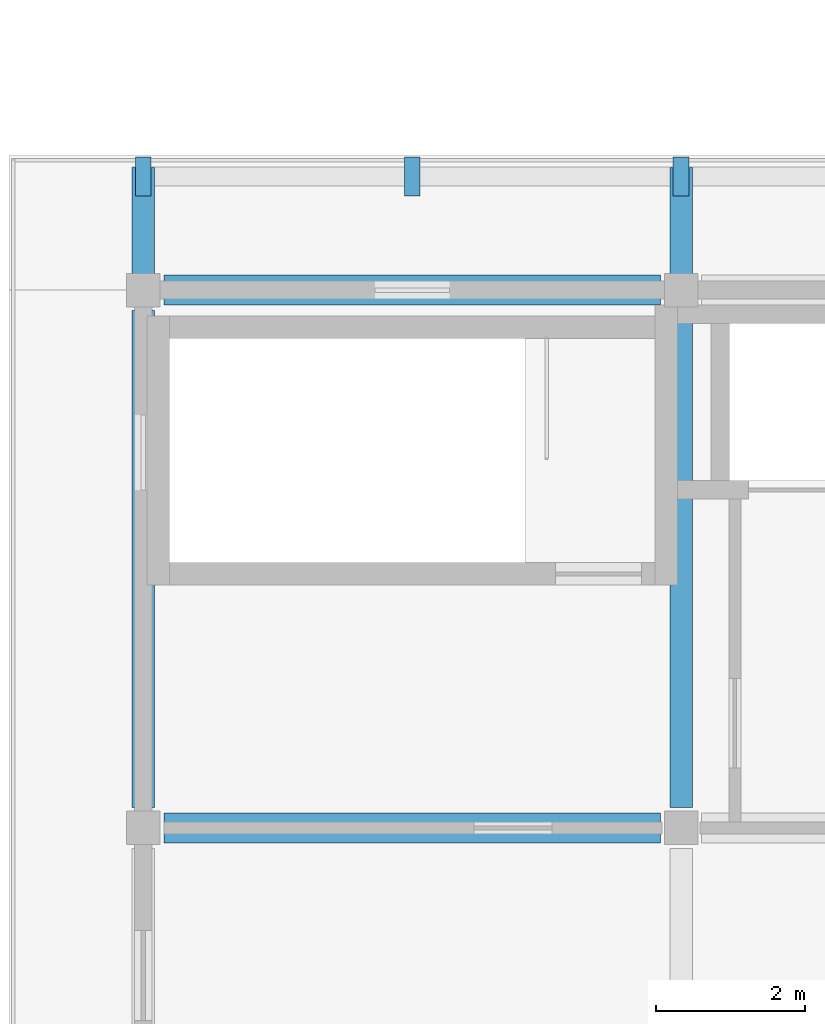
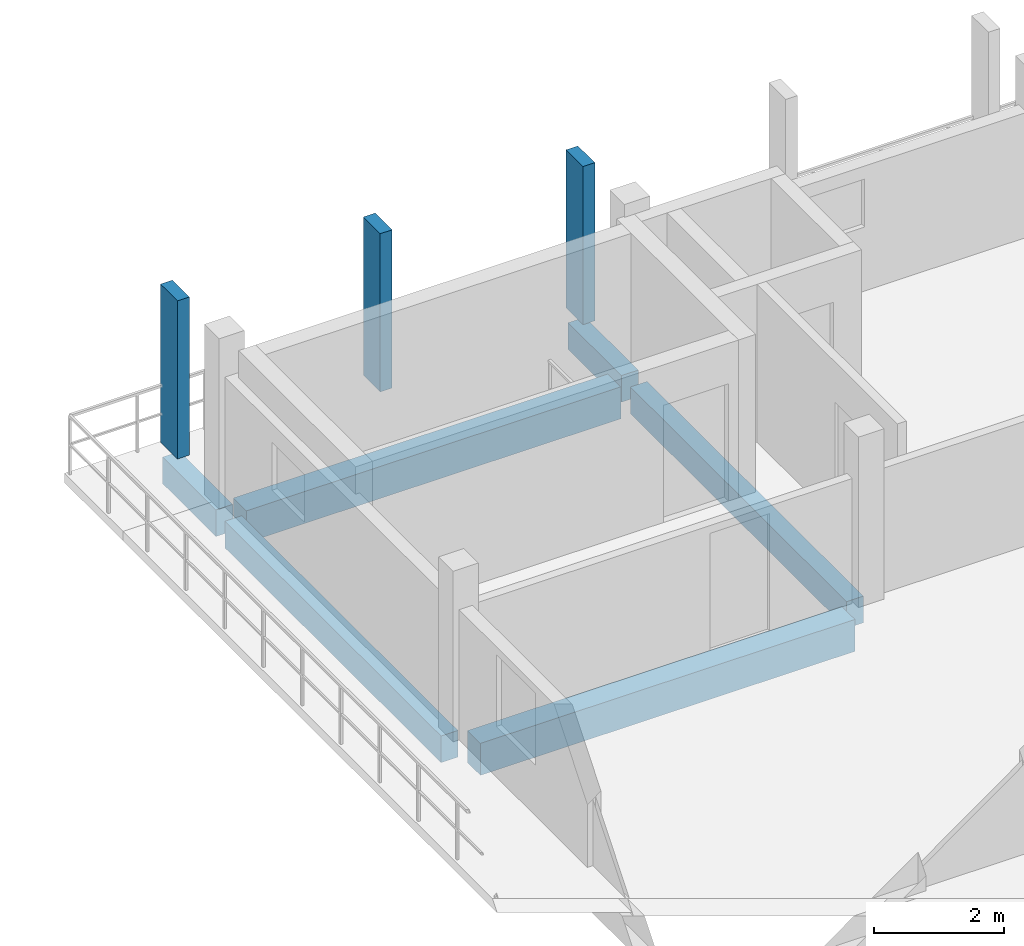
# One storey, part 5 of 56: 6 beams, 3 members.
"""IFC4 building model written with IfcOpenShell, lengths in metres."""

from ifc_helpers import new_model, si_unit, direction, frame, origin, origin_2d, place, context, subcontext, project, spatial, rectangle, extrude, material, material_profile, profile_set, type_object, element, save


model = new_model("IFC4")

# Units and contexts
model_context = context("Model", 3, precision=1e-05, world=origin(), true_north=direction((0.0, 1.0)))
body_context = subcontext(model_context, "Body", "Model", "MODEL_VIEW")
ifc_project = project(units=[si_unit("LENGTHUNIT", "METRE"), si_unit("AREAUNIT", "SQUARE_METRE"), si_unit("VOLUMEUNIT", "CUBIC_METRE"), si_unit("PLANEANGLEUNIT", "RADIAN"), si_unit("MASSUNIT", "GRAM", prefix="KILO")], contexts=[model_context])

# Site, building, storey
site_placement = place(None, origin())
site = spatial("IfcSite", under=ifc_project, at=site_placement, CompositionType="ELEMENT")
building_placement = place(site_placement, origin())
building = spatial("IfcBuilding", under=site, at=building_placement, Name="Suanplinth Sawtooth Commons", CompositionType="ELEMENT")
storey_placement = place(building_placement, frame((0.0, 0.0, 34.800048828125)))
storey = spatial("IfcBuildingStorey", under=building, at=storey_placement, Name="L10", CompositionType="ELEMENT", Elevation=34.800048828125)

# Beams
ifc_material_1 = material(Name="Precast concrete C40/50", Category="concrete")
ifc_material_profile_1 = material_profile(ifc_material_1, rectangle(XDim=0.39990234375, YDim=0.60009765625, at=origin_2d()), Name="PC-GDR 400x600")
ifc_profile_set_1 = profile_set([ifc_material_profile_1], Name="Precast concrete C40/50")
beam_type_1 = type_object("IfcBeamType", Name="B-05", PredefinedType="USERDEFINED", material=ifc_profile_set_1)
for number, where, z_axis, x_axis, name in (
    (1, (137.074951171875, 7.199951171875, -0.52001953125), (1.0, 0.0, 0.0), (0.0, 1.0, 0.0), "BMX-L10-C-19-1"),
    (2, (137.074951171875, 14.39990234375, -0.52001953125), (1.0, 0.0, 0.0), (0.0, 1.0, 0.0), "BMX-L10-C-19-2"),
):
    element("IfcBeam", number, at=place(storey_placement, frame(where, z_axis=z_axis, x_axis=x_axis)), inside=storey, type_object=beam_type_1, Name=name, ObjectType="GIRDER", PredefinedType="USERDEFINED", context=body_context, shape_type="SweptSolid", body=[
        extrude(rectangle(XDim=0.39990234375, YDim=0.60009765625, at=origin_2d()), origin(), (0.0, 0.0, 1.0), 6.650146484375),
    ])
ifc_material_profile_2 = material_profile(ifc_material_1, rectangle(XDim=0.300048828125, YDim=0.5, at=origin_2d()), Name="PC-BM 300x500")
ifc_profile_set_2 = profile_set([ifc_material_profile_2], Name="Precast concrete C40/50")
beam_type_2 = type_object("IfcBeamType", Name="B-07", PredefinedType="BEAM", material=ifc_profile_set_2)
for number, where, z_axis, x_axis, name in (
    (3, (136.800048828125, 7.47509765625, -0.469970703125), (0.0, 1.0, 0.0), (-1.0, 0.0, 0.0), "BMY-L10-C-19-1"),
    (4, (144.0, 7.47509765625, -0.469970703125), (0.0, 1.0, 0.0), (-1.0, 0.0, 0.0), "BMY-L10-C-20-1"),
):
    element("IfcBeam", number, at=place(storey_placement, frame(where, z_axis=z_axis, x_axis=x_axis)), inside=storey, type_object=beam_type_2, Name=name, PredefinedType="BEAM", context=body_context, shape_type="SweptSolid", body=[
        extrude(rectangle(XDim=0.300048828125, YDim=0.5, at=origin_2d()), origin(), (0.0, 0.0, 1.0), 6.64990234375),
    ])
for number, where, z_axis, x_axis, name in (
    (5, (136.800048828125, 14.39990234375, -0.425048828125), (0.0, 1.0, 0.0), (-1.0, 0.0, 0.0), "Balcony Outrigger L10-C-NC-19"),
    (6, (144.0, 14.39990234375, -0.425048828125), (0.0, 1.0, 0.0), (-1.0, 0.0, 0.0), "Balcony Outrigger L10-C-NC-20"),
):
    element("IfcBeam", number, at=place(storey_placement, frame(where, z_axis=z_axis, x_axis=x_axis)), inside=storey, type_object=beam_type_2, Name=name, PredefinedType="BEAM", context=body_context, shape_type="SweptSolid", body=[
        extrude(rectangle(XDim=0.300048828125, YDim=0.5, at=origin_2d()), origin(), (0.0, 0.0, 1.0), 1.64013671875),
    ])

# Members
ifc_material_2 = material(Name="Pigmented precast concrete C40/50", Category="concrete")
ifc_material_profile_3 = material_profile(ifc_material_2, rectangle(XDim=0.2099609375, YDim=0.52001953125, at=origin_2d()), Name="PC-FIN 210x520")
ifc_profile_set_3 = profile_set([ifc_material_profile_3], Name="Pigmented precast concrete C40/50")
member_type = type_object("IfcMemberType", Name="M-12", PredefinedType="USERDEFINED", material=ifc_profile_set_3)
for number, where, z_axis, x_axis, name in (
    (7, (136.800048828125, 15.919921875, 0.0), (0.0, 0.0, 1.0), (1.0, 0.0, 0.0), "Upright Solar Blade L10-C-NC-14"),
    (8, (140.39990234375, 15.919921875, 0.0), (0.0, 0.0, 1.0), (1.0, 0.0, 0.0), "Upright Solar Blade L10-C-NC-15"),
    (9, (144.0, 15.919921875, 0.0), (0.0, 0.0, 1.0), (1.0, 0.0, 0.0), "Upright Solar Blade L10-C-NC-16"),
):
    element("IfcMember", number, at=place(storey_placement, frame(where, z_axis=z_axis, x_axis=x_axis)), inside=storey, type_object=member_type, Name=name, ObjectType="SHADING FIN", PredefinedType="USERDEFINED", context=body_context, shape_type="SweptSolid", body=[
        extrude(rectangle(XDim=0.2099609375, YDim=0.52001953125, at=origin_2d()), origin(), (0.0, 0.0, 1.0), 2.969970703125),
    ])

save(model, "model.ifc")
